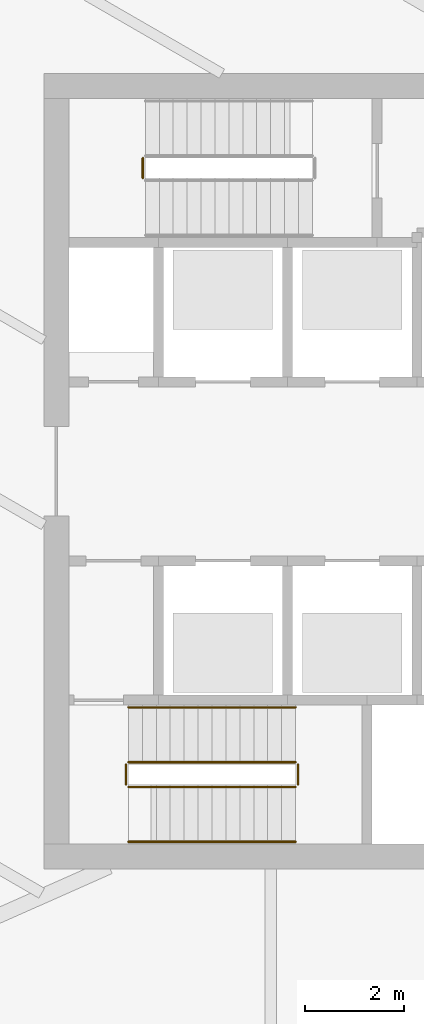
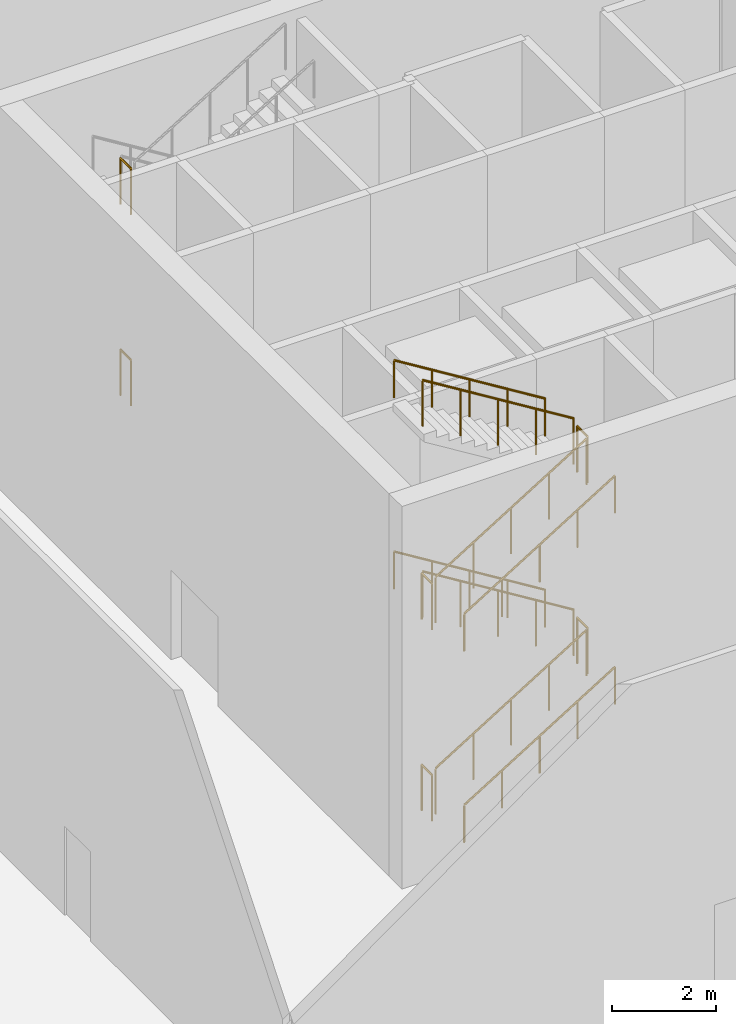
# One storey, part 23 of 29: 14 railings.
"""IFC4 building model written with IfcOpenShell, lengths in metres."""

from ifc_helpers import new_model, si_unit, direction, frame, origin, origin_2d, place, context, subcontext, project, spatial, circle, extrude, material, type_object, element, save


model = new_model("IFC4")

# Units and contexts
model_context = context("Model", 3, precision=1e-05, world=origin(), true_north=direction((0.0, 1.0)))
body_context = subcontext(model_context, "Body", "Model", "MODEL_VIEW")
ifc_project = project(units=[si_unit("LENGTHUNIT", "METRE"), si_unit("AREAUNIT", "SQUARE_METRE"), si_unit("VOLUMEUNIT", "CUBIC_METRE"), si_unit("PLANEANGLEUNIT", "RADIAN"), si_unit("MASSUNIT", "GRAM", prefix="KILO")], contexts=[model_context])

# Site, building, storey
site_placement = place(None, origin())
site = spatial("IfcSite", under=ifc_project, at=site_placement, CompositionType="ELEMENT")
building_placement = place(site_placement, origin())
building = spatial("IfcBuilding", under=site, at=building_placement, Name="Sierra Prisma Convention Tower", CompositionType="ELEMENT")
storey_placement = place(building_placement, origin())
storey = spatial("IfcBuildingStorey", under=building, at=storey_placement, Name="L00", CompositionType="ELEMENT", Elevation=0.0)

# Railings
ifc_material_1 = material(Name="Stainless steel", Category="steel")
railing_type_1 = type_object("IfcRailingType", Name="Exit stair handrail", PredefinedType="HANDRAIL", material=ifc_material_1)
railing_1_placement = place(storey_placement, frame((-9.300048828125, -7.449951171875, 0.173095703125)))
element("IfcRailing", 1, at=railing_1_placement, inside=storey, type_object=railing_type_1, Name="L00 S1 stair handrail 1", PredefinedType="HANDRAIL", context=body_context, shape_type="SweptSolid", body=[
    extrude(circle(Radius=0.02392578125, at=origin_2d()), frame((0.0, 0.0, 0.8759765625), z_axis=(0.850623216509, 0.0, 0.525775754039), x_axis=(0.0, 1.0, 0.0)), (0.0, 0.0, 1.0), 3.9501953125),
    extrude(circle(Radius=0.02099609375, at=origin_2d()), origin(), (0.0, 0.0, 1.0), 0.851806640625),
    extrude(circle(Radius=0.02099609375, at=origin_2d()), frame((0.840087890625, 0.0, 0.519287109375)), (0.0, 0.0, 1.0), 0.851806640625),
    extrude(circle(Radius=0.02099609375, at=origin_2d()), frame((1.68017578125, 0.0, 1.03857421875)), (0.0, 0.0, 1.0), 0.851806640625),
    extrude(circle(Radius=0.02099609375, at=origin_2d()), frame((2.52001953125, 0.0, 1.5576171875)), (0.0, 0.0, 1.0), 0.851806640625),
    extrude(circle(Radius=0.02099609375, at=origin_2d()), frame((3.360107421875, 0.0, 2.076904296875)), (0.0, 0.0, 1.0), 0.851806640625),
])
railing_2_placement = place(storey_placement, frame((-5.93994140625, -4.75, 2.423095703125)))
element("IfcRailing", 2, at=railing_2_placement, inside=storey, type_object=railing_type_1, Name="L00 S1 stair handrail 2", PredefinedType="HANDRAIL", context=body_context, shape_type="SweptSolid", body=[
    extrude(circle(Radius=0.02392578125, at=origin_2d()), frame((0.0, 0.0, 0.8759765625), z_axis=(-0.850623216509, 0.0, 0.525775754039), x_axis=(0.0, -1.0, 0.0)), (0.0, 0.0, 1.0), 3.9501953125),
    extrude(circle(Radius=0.02099609375, at=origin_2d()), origin(), (0.0, 0.0, 1.0), 0.851806640625),
    extrude(circle(Radius=0.02099609375, at=origin_2d()), frame((-0.840087890625, 0.0, 0.519287109375)), (0.0, 0.0, 1.0), 0.851806640625),
    extrude(circle(Radius=0.02099609375, at=origin_2d()), frame((-1.68017578125, 0.0, 1.03857421875)), (0.0, 0.0, 1.0), 0.851806640625),
    extrude(circle(Radius=0.02099609375, at=origin_2d()), frame((-2.52001953125, 0.0, 1.5576171875)), (0.0, 0.0, 1.0), 0.851806640625),
    extrude(circle(Radius=0.02099609375, at=origin_2d()), frame((-3.360107421875, 0.0, 2.076904296875)), (0.0, 0.0, 1.0), 0.851806640625),
])
railing_3_placement = place(storey_placement, frame((-9.300048828125, -7.449951171875, 4.673095703125)))
element("IfcRailing", 3, at=railing_3_placement, inside=storey, type_object=railing_type_1, Name="L00 S1 stair handrail 3", PredefinedType="HANDRAIL", context=body_context, shape_type="SweptSolid", body=[
    extrude(circle(Radius=0.02392578125, at=origin_2d()), frame((0.0, 0.0, 0.8759765625), z_axis=(0.850623216509, 0.0, 0.525775754039), x_axis=(0.0, 1.0, 0.0)), (0.0, 0.0, 1.0), 3.9501953125),
    extrude(circle(Radius=0.02099609375, at=origin_2d()), origin(), (0.0, 0.0, 1.0), 0.851806640625),
    extrude(circle(Radius=0.02099609375, at=origin_2d()), frame((0.840087890625, 0.0, 0.519287109375)), (0.0, 0.0, 1.0), 0.851806640625),
    extrude(circle(Radius=0.02099609375, at=origin_2d()), frame((1.68017578125, 0.0, 1.03857421875)), (0.0, 0.0, 1.0), 0.851806640625),
    extrude(circle(Radius=0.02099609375, at=origin_2d()), frame((2.52001953125, 0.0, 1.5576171875)), (0.0, 0.0, 1.0), 0.851806640625),
    extrude(circle(Radius=0.02099609375, at=origin_2d()), frame((3.360107421875, 0.0, 2.076904296875)), (0.0, 0.0, 1.0), 0.851806640625),
])
railing_4_placement = place(storey_placement, frame((-5.93994140625, -4.75, 6.923095703125)))
element("IfcRailing", 4, at=railing_4_placement, inside=storey, type_object=railing_type_1, Name="L00 S1 stair handrail 4", PredefinedType="HANDRAIL", context=body_context, shape_type="SweptSolid", body=[
    extrude(circle(Radius=0.02392578125, at=origin_2d()), frame((0.0, 0.0, 0.8759765625), z_axis=(-0.850623216509, 0.0, 0.525775754039), x_axis=(0.0, -1.0, 0.0)), (0.0, 0.0, 1.0), 3.9501953125),
    extrude(circle(Radius=0.02099609375, at=origin_2d()), origin(), (0.0, 0.0, 1.0), 0.851806640625),
    extrude(circle(Radius=0.02099609375, at=origin_2d()), frame((-0.840087890625, 0.0, 0.519287109375)), (0.0, 0.0, 1.0), 0.851806640625),
    extrude(circle(Radius=0.02099609375, at=origin_2d()), frame((-1.68017578125, 0.0, 1.03857421875)), (0.0, 0.0, 1.0), 0.851806640625),
    extrude(circle(Radius=0.02099609375, at=origin_2d()), frame((-2.52001953125, 0.0, 1.5576171875)), (0.0, 0.0, 1.0), 0.851806640625),
    extrude(circle(Radius=0.02099609375, at=origin_2d()), frame((-3.360107421875, 0.0, 2.076904296875)), (0.0, 0.0, 1.0), 0.851806640625),
])
ifc_material_2 = material(Name="Stainless steel", Category="steel")
railing_type_2 = type_object("IfcRailingType", Name="Stair guard 1100", PredefinedType="GUARDRAIL", material=ifc_material_2)
railing_5_placement = place(storey_placement, frame((-9.300048828125, -6.35009765625, 0.173095703125)))
element("IfcRailing", 5, at=railing_5_placement, inside=storey, type_object=railing_type_2, Name="L00 S1 stair guard 1", PredefinedType="GUARDRAIL", context=body_context, shape_type="SweptSolid", body=[
    extrude(circle(Radius=0.02392578125, at=origin_2d()), frame((0.0, 0.0, 1.076171875), z_axis=(0.850623216509, 0.0, 0.525775754039), x_axis=(0.0, 1.0, 0.0)), (0.0, 0.0, 1.0), 3.9501953125),
    extrude(circle(Radius=0.02099609375, at=origin_2d()), origin(), (0.0, 0.0, 1.0), 1.052001953125),
    extrude(circle(Radius=0.02099609375, at=origin_2d()), frame((0.840087890625, 0.0, 0.519287109375)), (0.0, 0.0, 1.0), 1.052001953125),
    extrude(circle(Radius=0.02099609375, at=origin_2d()), frame((1.68017578125, 0.0, 1.03857421875)), (0.0, 0.0, 1.0), 1.052001953125),
    extrude(circle(Radius=0.02099609375, at=origin_2d()), frame((2.52001953125, 0.0, 1.5576171875)), (0.0, 0.0, 1.0), 1.052001953125),
    extrude(circle(Radius=0.02099609375, at=origin_2d()), frame((3.360107421875, 0.0, 2.076904296875)), (0.0, 0.0, 1.0), 1.052001953125),
])
railing_6_placement = place(storey_placement, frame((-5.889892578125, -6.300048828125, 2.25)))
element("IfcRailing", 6, at=railing_6_placement, inside=storey, type_object=railing_type_2, Name="L00 S1 stair guard 2", PredefinedType="GUARDRAIL", context=body_context, shape_type="SweptSolid", body=[
    extrude(circle(Radius=0.02392578125, at=origin_2d()), frame((0.0, 0.0, 1.076171875), z_axis=(0.0, 1.0, 0.0), x_axis=(-1.0, 0.0, 0.0)), (0.0, 0.0, 1.0), 0.400146484375),
    extrude(circle(Radius=0.02099609375, at=origin_2d()), origin(), (0.0, 0.0, 1.0), 1.052001953125),
    extrude(circle(Radius=0.02099609375, at=origin_2d()), frame((0.0, 0.400146484375, 0.0)), (0.0, 0.0, 1.0), 1.052001953125),
])
railing_7_placement = place(storey_placement, frame((-5.93994140625, -5.85009765625, 2.423095703125)))
element("IfcRailing", 7, at=railing_7_placement, inside=storey, type_object=railing_type_2, Name="L00 S1 stair guard 3", PredefinedType="GUARDRAIL", context=body_context, shape_type="SweptSolid", body=[
    extrude(circle(Radius=0.02392578125, at=origin_2d()), frame((0.0, 0.0, 1.076171875), z_axis=(-0.850623216509, 0.0, 0.525775754039), x_axis=(0.0, -1.0, 0.0)), (0.0, 0.0, 1.0), 3.9501953125),
    extrude(circle(Radius=0.02099609375, at=origin_2d()), origin(), (0.0, 0.0, 1.0), 1.052001953125),
    extrude(circle(Radius=0.02099609375, at=origin_2d()), frame((-0.840087890625, 0.0, 0.519287109375)), (0.0, 0.0, 1.0), 1.052001953125),
    extrude(circle(Radius=0.02099609375, at=origin_2d()), frame((-1.68017578125, 0.0, 1.03857421875)), (0.0, 0.0, 1.0), 1.052001953125),
    extrude(circle(Radius=0.02099609375, at=origin_2d()), frame((-2.52001953125, 0.0, 1.5576171875)), (0.0, 0.0, 1.0), 1.052001953125),
    extrude(circle(Radius=0.02099609375, at=origin_2d()), frame((-3.360107421875, 0.0, 2.076904296875)), (0.0, 0.0, 1.0), 1.052001953125),
])
railing_8_placement = place(storey_placement, frame((-9.35009765625, -6.300048828125, 4.5)))
element("IfcRailing", 8, at=railing_8_placement, inside=storey, type_object=railing_type_2, Name="L00 S1 stair guard 4", PredefinedType="GUARDRAIL", context=body_context, shape_type="SweptSolid", body=[
    extrude(circle(Radius=0.02392578125, at=origin_2d()), frame((0.0, 0.0, 1.076171875), z_axis=(0.0, 1.0, 0.0), x_axis=(-1.0, 0.0, 0.0)), (0.0, 0.0, 1.0), 0.400146484375),
    extrude(circle(Radius=0.02099609375, at=origin_2d()), origin(), (0.0, 0.0, 1.0), 1.052001953125),
    extrude(circle(Radius=0.02099609375, at=origin_2d()), frame((0.0, 0.400146484375, 0.0)), (0.0, 0.0, 1.0), 1.052001953125),
])
railing_9_placement = place(storey_placement, frame((-9.300048828125, -6.35009765625, 4.673095703125)))
element("IfcRailing", 9, at=railing_9_placement, inside=storey, type_object=railing_type_2, Name="L00 S1 stair guard 5", PredefinedType="GUARDRAIL", context=body_context, shape_type="SweptSolid", body=[
    extrude(circle(Radius=0.02392578125, at=origin_2d()), frame((0.0, 0.0, 1.076171875), z_axis=(0.850623216509, 0.0, 0.525775754039), x_axis=(0.0, 1.0, 0.0)), (0.0, 0.0, 1.0), 3.9501953125),
    extrude(circle(Radius=0.02099609375, at=origin_2d()), origin(), (0.0, 0.0, 1.0), 1.052001953125),
    extrude(circle(Radius=0.02099609375, at=origin_2d()), frame((0.840087890625, 0.0, 0.519287109375)), (0.0, 0.0, 1.0), 1.052001953125),
    extrude(circle(Radius=0.02099609375, at=origin_2d()), frame((1.68017578125, 0.0, 1.03857421875)), (0.0, 0.0, 1.0), 1.052001953125),
    extrude(circle(Radius=0.02099609375, at=origin_2d()), frame((2.52001953125, 0.0, 1.5576171875)), (0.0, 0.0, 1.0), 1.052001953125),
    extrude(circle(Radius=0.02099609375, at=origin_2d()), frame((3.360107421875, 0.0, 2.076904296875)), (0.0, 0.0, 1.0), 1.052001953125),
])
railing_10_placement = place(storey_placement, frame((-5.889892578125, -6.300048828125, 6.75)))
element("IfcRailing", 10, at=railing_10_placement, inside=storey, type_object=railing_type_2, Name="L00 S1 stair guard 6", PredefinedType="GUARDRAIL", context=body_context, shape_type="SweptSolid", body=[
    extrude(circle(Radius=0.02392578125, at=origin_2d()), frame((0.0, 0.0, 1.076171875), z_axis=(0.0, 1.0, 0.0), x_axis=(-1.0, 0.0, 0.0)), (0.0, 0.0, 1.0), 0.400146484375),
    extrude(circle(Radius=0.02099609375, at=origin_2d()), origin(), (0.0, 0.0, 1.0), 1.052001953125),
    extrude(circle(Radius=0.02099609375, at=origin_2d()), frame((0.0, 0.400146484375, 0.0)), (0.0, 0.0, 1.0), 1.052001953125),
])
railing_11_placement = place(storey_placement, frame((-5.93994140625, -5.85009765625, 6.923095703125)))
element("IfcRailing", 11, at=railing_11_placement, inside=storey, type_object=railing_type_2, Name="L00 S1 stair guard 7", PredefinedType="GUARDRAIL", context=body_context, shape_type="SweptSolid", body=[
    extrude(circle(Radius=0.02392578125, at=origin_2d()), frame((0.0, 0.0, 1.076171875), z_axis=(-0.850623216509, 0.0, 0.525775754039), x_axis=(0.0, -1.0, 0.0)), (0.0, 0.0, 1.0), 3.9501953125),
    extrude(circle(Radius=0.02099609375, at=origin_2d()), origin(), (0.0, 0.0, 1.0), 1.052001953125),
    extrude(circle(Radius=0.02099609375, at=origin_2d()), frame((-0.840087890625, 0.0, 0.519287109375)), (0.0, 0.0, 1.0), 1.052001953125),
    extrude(circle(Radius=0.02099609375, at=origin_2d()), frame((-1.68017578125, 0.0, 1.03857421875)), (0.0, 0.0, 1.0), 1.052001953125),
    extrude(circle(Radius=0.02099609375, at=origin_2d()), frame((-2.52001953125, 0.0, 1.5576171875)), (0.0, 0.0, 1.0), 1.052001953125),
    extrude(circle(Radius=0.02099609375, at=origin_2d()), frame((-3.360107421875, 0.0, 2.076904296875)), (0.0, 0.0, 1.0), 1.052001953125),
])
railing_12_placement = place(storey_placement, frame((-9.35009765625, -6.300048828125, 0.0)))
element("IfcRailing", 12, at=railing_12_placement, inside=storey, type_object=railing_type_2, Name="L00 S1 stair guard 8", PredefinedType="GUARDRAIL", context=body_context, shape_type="SweptSolid", body=[
    extrude(circle(Radius=0.02392578125, at=origin_2d()), frame((0.0, 0.0, 1.076171875), z_axis=(0.0, 1.0, 0.0), x_axis=(-1.0, 0.0, 0.0)), (0.0, 0.0, 1.0), 0.400146484375),
    extrude(circle(Radius=0.02099609375, at=origin_2d()), origin(), (0.0, 0.0, 1.0), 1.052001953125),
    extrude(circle(Radius=0.02099609375, at=origin_2d()), frame((0.0, 0.400146484375, 0.0)), (0.0, 0.0, 1.0), 1.052001953125),
])
for number, where, name in (
    (13, (-9.010009765625, 6.300048828125, 2.25), "L00 S3 stair guard 2"),
    (14, (-9.010009765625, 6.300048828125, 6.75), "L00 S3 stair guard 6"),
):
    element("IfcRailing", number, at=place(storey_placement, frame(where)), inside=storey, type_object=railing_type_2, Name=name, PredefinedType="GUARDRAIL", context=body_context, shape_type="SweptSolid", body=[
        extrude(circle(Radius=0.02392578125, at=origin_2d()), frame((0.0, 0.0, 1.076171875), z_axis=(0.0, -1.0, 0.0), x_axis=(1.0, 0.0, 0.0)), (0.0, 0.0, 1.0), 0.400146484375),
        extrude(circle(Radius=0.02099609375, at=origin_2d()), origin(), (0.0, 0.0, 1.0), 1.052001953125),
        extrude(circle(Radius=0.02099609375, at=origin_2d()), frame((0.0, -0.400146484375, 0.0)), (0.0, 0.0, 1.0), 1.052001953125),
    ])

save(model, "model.ifc")
